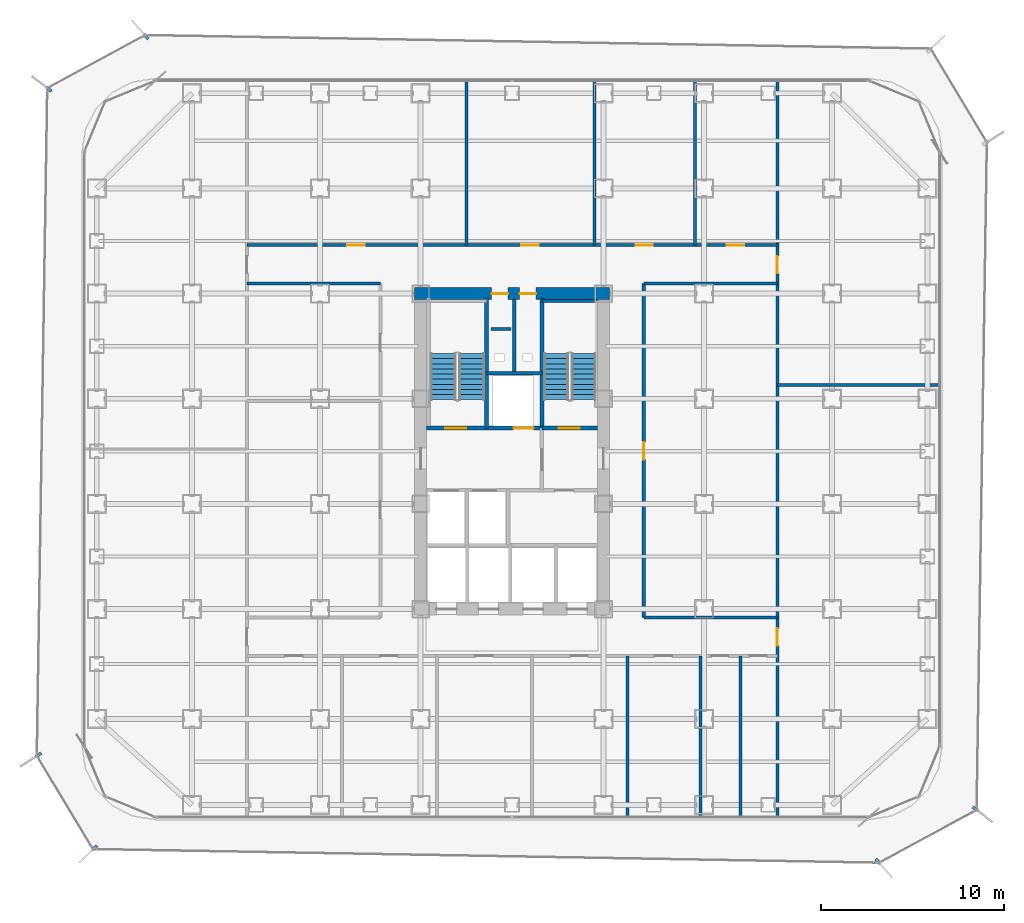
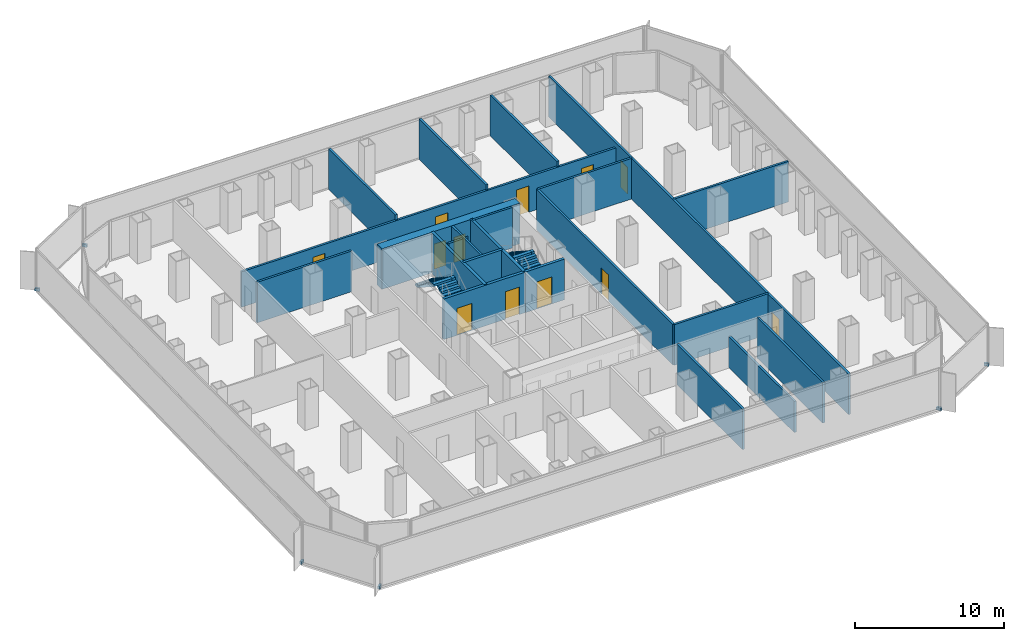
# One storey, part 18 of 22: 22 walls, 12 doors, 6 discrete accessories, 4 stair flights, 12 openings, 2 elements without a shape of their own.
"""IFC4 building model written with IfcOpenShell, lengths in metres."""

from ifc_helpers import new_model, si_unit, direction, frame, frame_2d, origin, origin_2d, place, context, subcontext, project, spatial, polyline, rectangle, outline, extrude, source, transform, mapped, material, layer, layer_set, type_object, element, fill, aggregate, save


model = new_model("IFC4")

# Units and contexts
model_context = context("Model", 3, precision=1e-05, world=origin(), true_north=direction((0.0, 1.0)))
body_context = subcontext(model_context, "Body", "Model", "MODEL_VIEW")
ifc_project = project(units=[si_unit("LENGTHUNIT", "METRE"), si_unit("AREAUNIT", "SQUARE_METRE"), si_unit("VOLUMEUNIT", "CUBIC_METRE"), si_unit("PLANEANGLEUNIT", "RADIAN"), si_unit("MASSUNIT", "GRAM", prefix="KILO")], contexts=[model_context])

# Site, building, storey
site_placement = place(None, origin())
site = spatial("IfcSite", under=ifc_project, at=site_placement, CompositionType="ELEMENT")
building_placement = place(site_placement, origin())
building = spatial("IfcBuilding", under=site, at=building_placement, Name="Kolveth Station Tower", CompositionType="ELEMENT")
storey_placement = place(building_placement, frame((0.0, 0.0, 54.89990234375)))
storey = spatial("IfcBuildingStorey", under=building, at=storey_placement, Name="L14", CompositionType="ELEMENT", Elevation=54.89990234375)

# Wall, openings, doors
ifc_material_1 = material(Name="Concrete C60/75", Category="concrete")
ifc_layer_1 = layer(ifc_material_1, 0.64990234375)
ifc_layer_set_1 = layer_set([ifc_layer_1], Name="Concrete C60/75")
wall_type_1 = type_object("IfcWallType", Name="Wall_CW-650", PredefinedType="SHEAR", material=ifc_layer_set_1)
wall_1_placement = place(storey_placement, frame((18.175048828125, 28.75, 0.0), z_axis=(0.0, 0.0, 1.0), x_axis=(1.0, 0.0, 0.0)))
wall_1 = element("IfcWall", 1, at=wall_1_placement, inside=storey, type_object=wall_type_1, Name="L14 Core RC Shear Wall N", PredefinedType="SHEAR", context=body_context, shape_type="SweptSolid", body=[
    extrude(rectangle(XDim=10.64990234375, YDim=0.64990234375, at=frame_2d((5.324951171875, 0.0))), origin(), (0.0, 0.0, 1.0), 3.320068359375),
])
opening_1_placement = place(wall_1_placement, frame((4.205078125, 0.0, 0.0)))
opening_1 = element("IfcOpeningElement", 2, at=opening_1_placement, cuts=wall_1, Name="Opening RD1", PredefinedType="OPENING", context=body_context, shape_type="SweptSolid", body=[
    extrude(rectangle(XDim=0.89990234375, YDim=2.050048828125, at=frame_2d((0.449951171875, 1.02490234375))), frame((0.0, 0.3349609375, 0.0), z_axis=(0.0, -1.0, 0.0), x_axis=(1.0, 0.0, 0.0)), (0.0, 0.0, 1.0), 0.669921875),
])
opening_2_placement = place(wall_1_placement, frame((5.7451171875, 0.0, 0.0)))
opening_2 = element("IfcOpeningElement", 3, at=opening_2_placement, cuts=wall_1, Name="Opening RD1", PredefinedType="OPENING", context=body_context, shape_type="SweptSolid", body=[
    extrude(rectangle(XDim=0.89990234375, YDim=2.050048828125, at=frame_2d((0.449951171875, 1.02490234375))), frame((0.0, 0.3349609375, 0.0), z_axis=(0.0, -1.0, 0.0), x_axis=(1.0, 0.0, 0.0)), (0.0, 0.0, 1.0), 0.669921875),
])
ifc_material_2 = material(Name="Fire-rated Steel S355 riser access leaf", Category="steel")
door_type_1 = type_object("IfcDoorType", Name="Door_RD1", OperationType="NOTDEFINED", PredefinedType="DOOR", material=ifc_material_2)
door_1_placement = place(opening_1_placement, origin())
door_1 = element("IfcDoor", 4, at=door_1_placement, inside=storey, type_object=door_type_1, Name="L14 Electrical Riser Access Door", OperationType="SINGLE_SWING_LEFT", OverallHeight=2.050048828125, OverallWidth=0.89990234375, PredefinedType="DOOR", context=body_context, shape_type="SweptSolid", body=[
    extrude(rectangle(XDim=0.89990234375, YDim=2.050048828125, at=frame_2d((0.449951171875, 1.02490234375))), frame((0.0, 0.02490234375, 0.0), z_axis=(0.0, -1.0, 0.0), x_axis=(1.0, 0.0, 0.0)), (0.0, 0.0, 1.0), 0.050048828125),
])
fill(opening_1, door_1)
door_2_placement = place(opening_2_placement, origin())
door_2 = element("IfcDoor", 5, at=door_2_placement, inside=storey, type_object=door_type_1, Name="L14 Smoke Duct Access Door", OperationType="SINGLE_SWING_LEFT", OverallHeight=2.050048828125, OverallWidth=0.89990234375, PredefinedType="DOOR", context=body_context, shape_type="SweptSolid", body=[
    extrude(rectangle(XDim=0.89990234375, YDim=2.050048828125, at=frame_2d((0.449951171875, 1.02490234375))), frame((0.0, 0.02490234375, 0.0), z_axis=(0.0, -1.0, 0.0), x_axis=(1.0, 0.0, 0.0)), (0.0, 0.0, 1.0), 0.050048828125),
])
fill(opening_2, door_2)

# Walls
ifc_material_3 = material(Name="Acoustic double-stud gypsum partition")
ifc_layer_2 = layer(ifc_material_3, 0.1650390625)
ifc_layer_set_2 = layer_set([ifc_layer_2], Name="Acoustic double-stud gypsum partition")
wall_type_2 = type_object("IfcWallType", Name="Wall_IW-165", PredefinedType="PARTITIONING", material=ifc_layer_set_2)
wall_2_placement = place(storey_placement, frame((25.1298828125, 28.3349609375, 0.0), z_axis=(0.0, 0.0, 1.0), x_axis=(1.0, 0.0, 0.0)))
element("IfcWall", 6, at=wall_2_placement, inside=storey, type_object=wall_type_2, Name="L14 Stair Shaft Wall WL-L14-ST2-N", PredefinedType="PARTITIONING", context=body_context, shape_type="SweptSolid", body=[
    extrude(rectangle(XDim=3.03515625, YDim=0.1650390625, at=frame_2d((1.517578125, 0.0))), origin(), (0.0, 0.0, 1.0), 3.320068359375),
])
wall_3_placement = place(storey_placement, frame((23.6201171875, 24.39990234375, 0.0), z_axis=(0.0, 0.0, 1.0), x_axis=(0.0, 1.0, 0.0)))
element("IfcWall", 7, at=wall_3_placement, inside=storey, type_object=wall_type_2, Name="L14 Partition Wall WL-L14-RSR-M", PredefinedType="PARTITIONING", context=body_context, shape_type="SweptSolid", body=[
    extrude(rectangle(XDim=4.01513671875, YDim=0.1650390625, at=frame_2d((2.007568359375, 0.0))), origin(), (0.0, 0.0, 1.0), 3.320068359375),
])

# Wall, openings, doors
wall_4_placement = place(storey_placement, frame((9.0, 31.39990234375, 0.0), z_axis=(0.0, 0.0, 1.0), x_axis=(1.0, 0.0, 0.0)))
wall_4 = element("IfcWall", 8, at=wall_4_placement, inside=storey, type_object=wall_type_2, Name="L14 Partition Wall WL-L14-ON", PredefinedType="PARTITIONING", context=body_context, shape_type="SweptSolid", body=[
    extrude(rectangle(XDim=29.0, YDim=0.1650390625, at=frame_2d((14.5, 0.0))), origin(), (0.0, 0.0, 1.0), 2.898193359375),
])
opening_3_placement = place(wall_4_placement, frame((5.5, 0.0, 0.0)))
opening_3 = element("IfcOpeningElement", 9, at=opening_3_placement, cuts=wall_4, Name="Opening ID1", PredefinedType="OPENING", context=body_context, shape_type="SweptSolid", body=[
    extrude(rectangle(XDim=0.949951171875, YDim=2.14990234375, at=frame_2d((0.47509765625, 1.074951171875))), frame((0.0, 0.092529296875, 0.0), z_axis=(0.0, -1.0, 0.0), x_axis=(1.0, 0.0, 0.0)), (0.0, 0.0, 1.0), 0.18505859375),
])
opening_4_placement = place(wall_4_placement, frame((15.0, 0.0, 0.0)))
opening_4 = element("IfcOpeningElement", 10, at=opening_4_placement, cuts=wall_4, Name="Opening ID1", PredefinedType="OPENING", context=body_context, shape_type="SweptSolid", body=[
    extrude(rectangle(XDim=0.949951171875, YDim=2.14990234375, at=frame_2d((0.47509765625, 1.074951171875))), frame((0.0, 0.092529296875, 0.0), z_axis=(0.0, -1.0, 0.0), x_axis=(1.0, 0.0, 0.0)), (0.0, 0.0, 1.0), 0.18505859375),
])
opening_5_placement = place(wall_4_placement, frame((21.25, 0.0, 0.0)))
opening_5 = element("IfcOpeningElement", 11, at=opening_5_placement, cuts=wall_4, Name="Opening ID1", PredefinedType="OPENING", context=body_context, shape_type="SweptSolid", body=[
    extrude(rectangle(XDim=0.949951171875, YDim=2.14990234375, at=frame_2d((0.47509765625, 1.074951171875))), frame((0.0, 0.092529296875, 0.0), z_axis=(0.0, -1.0, 0.0), x_axis=(1.0, 0.0, 0.0)), (0.0, 0.0, 1.0), 0.18505859375),
])
opening_6_placement = place(wall_4_placement, frame((26.25, 0.0, 0.0)))
opening_6 = element("IfcOpeningElement", 12, at=opening_6_placement, cuts=wall_4, Name="Opening ID1", PredefinedType="OPENING", context=body_context, shape_type="SweptSolid", body=[
    extrude(rectangle(XDim=0.949951171875, YDim=2.14990234375, at=frame_2d((0.47509765625, 1.074951171875))), frame((0.0, 0.092529296875, 0.0), z_axis=(0.0, -1.0, 0.0), x_axis=(1.0, 0.0, 0.0)), (0.0, 0.0, 1.0), 0.18505859375),
])
ifc_material_4 = material(Name="Acoustic hardwood leaf and aluminium frame", Category="wood")
door_type_2 = type_object("IfcDoorType", Name="Door_ID1", OperationType="NOTDEFINED", PredefinedType="DOOR", material=ifc_material_4)
door_3_placement = place(opening_3_placement, origin())
door_3 = element("IfcDoor", 13, at=door_3_placement, inside=storey, type_object=door_type_2, Name="L14 Cellular Office 3 Door", OperationType="SINGLE_SWING_RIGHT", OverallHeight=2.14990234375, OverallWidth=0.949951171875, PredefinedType="DOOR", context=body_context, shape_type="SweptSolid", body=[
    extrude(rectangle(XDim=0.949951171875, YDim=2.14990234375, at=frame_2d((0.47509765625, 1.074951171875))), frame((0.0, 0.02490234375, 0.0), z_axis=(0.0, -1.0, 0.0), x_axis=(1.0, 0.0, 0.0)), (0.0, 0.0, 1.0), 0.050048828125),
])
fill(opening_3, door_3)
door_4_placement = place(opening_4_placement, origin())
door_4 = element("IfcDoor", 14, at=door_4_placement, inside=storey, type_object=door_type_2, Name="L14 Cellular Office 4 Door", OperationType="SINGLE_SWING_LEFT", OverallHeight=2.14990234375, OverallWidth=0.949951171875, PredefinedType="DOOR", context=body_context, shape_type="SweptSolid", body=[
    extrude(rectangle(XDim=0.949951171875, YDim=2.14990234375, at=frame_2d((0.47509765625, 1.074951171875))), frame((0.0, 0.02490234375, 0.0), z_axis=(0.0, -1.0, 0.0), x_axis=(1.0, 0.0, 0.0)), (0.0, 0.0, 1.0), 0.050048828125),
])
fill(opening_4, door_4)
door_5_placement = place(opening_5_placement, origin())
door_5 = element("IfcDoor", 15, at=door_5_placement, inside=storey, type_object=door_type_2, Name="L14 Office Pantry Door", OperationType="SINGLE_SWING_LEFT", OverallHeight=2.14990234375, OverallWidth=0.949951171875, PredefinedType="DOOR", context=body_context, shape_type="SweptSolid", body=[
    extrude(rectangle(XDim=0.949951171875, YDim=2.14990234375, at=frame_2d((0.47509765625, 1.074951171875))), frame((0.0, 0.02490234375, 0.0), z_axis=(0.0, -1.0, 0.0), x_axis=(1.0, 0.0, 0.0)), (0.0, 0.0, 1.0), 0.050048828125),
])
fill(opening_5, door_5)
door_6_placement = place(opening_6_placement, origin())
door_6 = element("IfcDoor", 16, at=door_6_placement, inside=storey, type_object=door_type_2, Name="L14 Archive Store Door", OperationType="SINGLE_SWING_LEFT", OverallHeight=2.14990234375, OverallWidth=0.949951171875, PredefinedType="DOOR", context=body_context, shape_type="SweptSolid", body=[
    extrude(rectangle(XDim=0.949951171875, YDim=2.14990234375, at=frame_2d((0.47509765625, 1.074951171875))), frame((0.0, 0.02490234375, 0.0), z_axis=(0.0, -1.0, 0.0), x_axis=(1.0, 0.0, 0.0)), (0.0, 0.0, 1.0), 0.050048828125),
])
fill(opening_6, door_6)

# Walls
for number, where, z_axis, x_axis, name in (
    (17, (30.699951171875, 11.050048828125, 0.0), (0.0, 0.0, 1.0), (1.0, 0.0, 0.0), "L14 Partition Wall WL-L14-OSET"),
    (18, (9.0, 29.300048828125, 0.0), (0.0, 0.0, 1.0), (1.0, 0.0, 0.0), "L14 Partition Wall WL-L14-ONWB"),
    (19, (30.699951171875, 29.300048828125, 0.0), (0.0, 0.0, 1.0), (1.0, 0.0, 0.0), "L14 Partition Wall WL-L14-ONEB"),
):
    element("IfcWall", number, at=place(storey_placement, frame(where, z_axis=z_axis, x_axis=x_axis)), inside=storey, type_object=wall_type_2, Name=name, PredefinedType="PARTITIONING", context=body_context, shape_type="SweptSolid", body=[
        extrude(rectangle(XDim=7.300048828125, YDim=0.1650390625, at=frame_2d((3.64990234375, 0.0))), origin(), (0.0, 0.0, 1.0), 3.320068359375),
    ])

# Wall, opening, door
wall_5_placement = place(storey_placement, frame((30.699951171875, 11.050048828125, 0.0), z_axis=(0.0, 0.0, 1.0), x_axis=(0.0, 1.0, 0.0)))
wall_5 = element("IfcWall", 20, at=wall_5_placement, inside=storey, type_object=wall_type_2, Name="L14 Partition Wall WL-L14-OCE", PredefinedType="PARTITIONING", context=body_context, shape_type="SweptSolid", body=[
    extrude(rectangle(XDim=18.25, YDim=0.1650390625, at=frame_2d((9.125, 0.0))), origin(), (0.0, 0.0, 1.0), 3.320068359375),
])
opening_7_placement = place(wall_5_placement, frame((8.625, 0.0, 0.0)))
opening_7 = element("IfcOpeningElement", 21, at=opening_7_placement, cuts=wall_5, Name="Opening ID1", PredefinedType="OPENING", context=body_context, shape_type="SweptSolid", body=[
    extrude(rectangle(XDim=0.949951171875, YDim=2.14990234375, at=frame_2d((0.47509765625, 1.074951171875))), frame((0.0, 0.092529296875, 0.0), z_axis=(0.0, -1.0, 0.0), x_axis=(1.0, 0.0, 0.0)), (0.0, 0.0, 1.0), 0.18505859375),
])
door_7_placement = place(opening_7_placement, origin())
door_7 = element("IfcDoor", 22, at=door_7_placement, inside=storey, type_object=door_type_2, Name="L14 Internal Meeting Room E1 Door", OperationType="SINGLE_SWING_RIGHT", OverallHeight=2.14990234375, OverallWidth=0.949951171875, PredefinedType="DOOR", context=body_context, shape_type="SweptSolid", body=[
    extrude(rectangle(XDim=0.949951171875, YDim=2.14990234375, at=frame_2d((0.47509765625, 1.074951171875))), frame((0.0, 0.02490234375, 0.0), z_axis=(0.0, -1.0, 0.0), x_axis=(1.0, 0.0, 0.0)), (0.0, 0.0, 1.0), 0.050048828125),
])
fill(opening_7, door_7)

# Wall, openings, doors
wall_6_placement = place(storey_placement, frame((38.0, 0.159912109375, 0.0), z_axis=(0.0, 0.0, 1.0), x_axis=(0.0, 1.0, 0.0)))
wall_6 = element("IfcWall", 23, at=wall_6_placement, inside=storey, type_object=wall_type_2, Name="L14 Partition Wall WL-L14-OEEND", PredefinedType="PARTITIONING", context=body_context, shape_type="SweptSolid", body=[
    extrude(rectangle(XDim=40.18017578125, YDim=0.1650390625, at=frame_2d((20.090087890625, 0.0))), origin(), (0.0, 0.0, 1.0), 3.320068359375),
])
opening_8_placement = place(wall_6_placement, frame((9.340087890625, 0.0, 0.0)))
opening_8 = element("IfcOpeningElement", 24, at=opening_8_placement, cuts=wall_6, Name="Opening ID1", PredefinedType="OPENING", context=body_context, shape_type="SweptSolid", body=[
    extrude(rectangle(XDim=0.949951171875, YDim=2.14990234375, at=frame_2d((0.47509765625, 1.074951171875))), frame((0.0, 0.092529296875, 0.0), z_axis=(0.0, -1.0, 0.0), x_axis=(1.0, 0.0, 0.0)), (0.0, 0.0, 1.0), 0.18505859375),
])
opening_9_placement = place(wall_6_placement, frame((29.68994140625, 0.0, 0.0)))
opening_9 = element("IfcOpeningElement", 25, at=opening_9_placement, cuts=wall_6, Name="Opening ID1", PredefinedType="OPENING", context=body_context, shape_type="SweptSolid", body=[
    extrude(rectangle(XDim=0.949951171875, YDim=2.14990234375, at=frame_2d((0.47509765625, 1.074951171875))), frame((0.0, 0.092529296875, 0.0), z_axis=(0.0, -1.0, 0.0), x_axis=(1.0, 0.0, 0.0)), (0.0, 0.0, 1.0), 0.18505859375),
])
door_8_placement = place(opening_8_placement, origin())
door_8 = element("IfcDoor", 26, at=door_8_placement, inside=storey, type_object=door_type_2, Name="L14 East-South Wing Door", OperationType="SINGLE_SWING_RIGHT", OverallHeight=2.14990234375, OverallWidth=0.949951171875, PredefinedType="DOOR", context=body_context, shape_type="SweptSolid", body=[
    extrude(rectangle(XDim=0.949951171875, YDim=2.14990234375, at=frame_2d((0.47509765625, 1.074951171875))), frame((0.0, 0.02490234375, 0.0), z_axis=(0.0, -1.0, 0.0), x_axis=(1.0, 0.0, 0.0)), (0.0, 0.0, 1.0), 0.050048828125),
])
fill(opening_8, door_8)
door_9_placement = place(opening_9_placement, origin())
door_9 = element("IfcDoor", 27, at=door_9_placement, inside=storey, type_object=door_type_2, Name="L14 East-North Wing Door", OperationType="SINGLE_SWING_LEFT", OverallHeight=2.14990234375, OverallWidth=0.949951171875, PredefinedType="DOOR", context=body_context, shape_type="SweptSolid", body=[
    extrude(rectangle(XDim=0.949951171875, YDim=2.14990234375, at=frame_2d((0.47509765625, 1.074951171875))), frame((0.0, 0.02490234375, 0.0), z_axis=(0.0, -1.0, 0.0), x_axis=(1.0, 0.0, 0.0)), (0.0, 0.0, 1.0), 0.050048828125),
])
fill(opening_9, door_9)

# Walls
wall_7_placement = place(storey_placement, frame((29.800048828125, 0.159912109375, 0.0), z_axis=(0.0, 0.0, 1.0), x_axis=(0.0, 1.0, 0.0)))
element("IfcWall", 28, at=wall_7_placement, inside=storey, type_object=wall_type_2, Name="L14 Partition Wall WL-L14-OS-P4", PredefinedType="PARTITIONING", context=body_context, shape_type="SweptSolid", body=[
    extrude(rectangle(XDim=8.7900390625, YDim=0.1650390625, at=frame_2d((4.39501953125, 0.0))), origin(), (0.0, 0.0, 1.0), 3.320068359375),
])
wall_8_placement = place(storey_placement, frame((33.800048828125, 0.159912109375, 0.0), z_axis=(0.0, 0.0, 1.0), x_axis=(0.0, 1.0, 0.0)))
element("IfcWall", 29, at=wall_8_placement, inside=storey, type_object=wall_type_2, Name="L14 Partition Wall WL-L14-OS-P5", PredefinedType="PARTITIONING", context=body_context, shape_type="SweptSolid", body=[
    extrude(rectangle(XDim=8.7900390625, YDim=0.1650390625, at=frame_2d((4.39501953125, 0.0))), origin(), (0.0, 0.0, 1.0), 2.5390625),
])
wall_9_placement = place(storey_placement, frame((36.0, 0.159912109375, 0.0), z_axis=(0.0, 0.0, 1.0), x_axis=(0.0, 1.0, 0.0)))
element("IfcWall", 30, at=wall_9_placement, inside=storey, type_object=wall_type_2, Name="L14 Partition Wall WL-L14-OS-P6", PredefinedType="PARTITIONING", context=body_context, shape_type="SweptSolid", body=[
    extrude(rectangle(XDim=8.7900390625, YDim=0.1650390625, at=frame_2d((4.39501953125, 0.0))), origin(), (0.0, 0.0, 1.0), 3.320068359375),
])
for number, where, z_axis, x_axis, name in (
    (31, (21.0, 31.39990234375, 0.0), (0.0, 0.0, 1.0), (0.0, 1.0, 0.0), "L14 Partition Wall WL-L14-ON-P1"),
    (32, (28.0, 31.39990234375, 0.0), (0.0, 0.0, 1.0), (0.0, 1.0, 0.0), "L14 Partition Wall WL-L14-ON-P2"),
    (33, (33.5, 31.39990234375, 0.0), (0.0, 0.0, 1.0), (0.0, 1.0, 0.0), "L14 Partition Wall WL-L14-ON-P3"),
):
    element("IfcWall", number, at=place(storey_placement, frame(where, z_axis=z_axis, x_axis=x_axis)), inside=storey, type_object=wall_type_2, Name=name, PredefinedType="PARTITIONING", context=body_context, shape_type="SweptSolid", body=[
        extrude(rectangle(XDim=8.940185546875, YDim=0.1650390625, at=frame_2d((4.47021484375, 0.0))), origin(), (0.0, 0.0, 1.0), 3.320068359375),
    ])
wall_10_placement = place(storey_placement, frame((38.0, 23.75, 0.0), z_axis=(0.0, 0.0, 1.0), x_axis=(1.0, 0.0, 0.0)))
element("IfcWall", 34, at=wall_10_placement, inside=storey, type_object=wall_type_2, Name="L14 Partition Wall WL-L14-OEM", PredefinedType="PARTITIONING", context=body_context, shape_type="SweptSolid", body=[
    extrude(rectangle(XDim=8.840087890625, YDim=0.1650390625, at=frame_2d((4.419921875, 0.0))), origin(), (0.0, 0.0, 1.0), 3.320068359375),
])
wall_11_placement = place(storey_placement, frame((22.35009765625, 26.800048828125, 0.0), z_axis=(0.0, 0.0, 1.0), x_axis=(1.0, 0.0, 0.0)))
element("IfcWall", 35, at=wall_11_placement, inside=storey, type_object=wall_type_2, Name="L14 Acoustic Riser Dry-Lining Wall", PredefinedType="PARTITIONING", context=body_context, shape_type="SweptSolid", body=[
    extrude(rectangle(XDim=1.099853515625, YDim=0.1650390625, at=frame_2d((0.5498046875, 0.0))), origin(), (0.0, 0.0, 1.0), 3.320068359375),
])
ifc_material_5 = material(Name="Acoustic fire-rated gypsum blockwork", Category="masonry")
ifc_layer_3 = layer(ifc_material_5, 0.199951171875)
ifc_layer_set_3 = layer_set([ifc_layer_3], Name="Acoustic fire-rated gypsum blockwork")
wall_type_3 = type_object("IfcWallType", Name="Wall_IW-200", PredefinedType="PARTITIONING", material=ifc_layer_set_3)
wall_12_placement = place(storey_placement, frame((22.110107421875, 24.39990234375, 0.0), z_axis=(0.0, 0.0, 1.0), x_axis=(1.0, 0.0, 0.0)))
element("IfcWall", 36, at=wall_12_placement, inside=storey, type_object=wall_type_3, Name="L14 Partition Wall WL-L14-RSR-S", PredefinedType="PARTITIONING", context=body_context, shape_type="SweptSolid", body=[
    extrude(rectangle(XDim=3.019775390625, YDim=0.199951171875, at=frame_2d((1.509765625, 0.0))), origin(), (0.0, 0.0, 1.0), 3.320068359375),
])
ifc_material_6 = material(Name="Concrete C40/50", Category="concrete")
ifc_layer_4 = layer(ifc_material_6, 0.219970703125)
ifc_layer_set_4 = layer_set([ifc_layer_4], Name="Concrete C40/50")
wall_type_4 = type_object("IfcWallType", Name="Wall_IW-220", PredefinedType="SOLIDWALL", material=ifc_layer_set_4)
for number, where, z_axis, x_axis, name in (
    (37, (22.110107421875, 21.389892578125, 0.0), (0.0, 0.0, 1.0), (0.0, 1.0, 0.0), "L14 Stair Shaft Wall WL-L14-ST1-E"),
    (38, (25.1298828125, 21.389892578125, 0.0), (0.0, 0.0, 1.0), (0.0, 1.0, 0.0), "L14 Stair Shaft Wall WL-L14-ST2-W"),
):
    element("IfcWall", number, at=place(storey_placement, frame(where, z_axis=z_axis, x_axis=x_axis)), inside=storey, type_object=wall_type_4, Name=name, PredefinedType="SOLIDWALL", context=body_context, shape_type="SweptSolid", body=[
        extrude(rectangle(XDim=7.110107421875, YDim=0.219970703125, at=frame_2d((3.55517578125, 0.0))), origin(), (0.0, 0.0, 1.0), 3.320068359375),
    ])

# Wall, openings, doors
wall_13_placement = place(storey_placement, frame((18.8349609375, 21.389892578125, 0.0), z_axis=(0.0, 0.0, 1.0), x_axis=(1.0, 0.0, 0.0)))
wall_13 = element("IfcWall", 39, at=wall_13_placement, inside=storey, type_object=wall_type_4, Name="L14 Stair Shaft Wall WL-L14-ST1-S", PredefinedType="SOLIDWALL", context=body_context, shape_type="SweptSolid", body=[
    extrude(rectangle(XDim=6.294921875, YDim=0.219970703125, at=frame_2d((3.1474609375, 0.0))), origin(), (0.0, 0.0, 1.0), 3.320068359375),
])
opening_10_placement = place(wall_13_placement, frame((1.014892578125, 0.0, 0.0)))
opening_10 = element("IfcOpeningElement", 40, at=opening_10_placement, cuts=wall_13, Name="Opening FD1", PredefinedType="OPENING", context=body_context, shape_type="SweptSolid", body=[
    extrude(rectangle(XDim=1.14990234375, YDim=2.199951171875, at=frame_2d((0.574951171875, 1.10009765625))), frame((0.0, 0.119873046875, 0.0), z_axis=(0.0, -1.0, 0.0), x_axis=(1.0, 0.0, 0.0)), (0.0, 0.0, 1.0), 0.239990234375),
])
opening_11_placement = place(wall_13_placement, frame((4.7451171875, 0.0, 0.0)))
opening_11 = element("IfcOpeningElement", 41, at=opening_11_placement, cuts=wall_13, Name="Opening LD1", PredefinedType="OPENING", context=body_context, shape_type="SweptSolid", body=[
    extrude(rectangle(XDim=1.10009765625, YDim=2.25, at=frame_2d((0.550048828125, 1.125))), frame((0.0, 0.119873046875, 0.0), z_axis=(0.0, -1.0, 0.0), x_axis=(1.0, 0.0, 0.0)), (0.0, 0.0, 1.0), 0.239990234375),
])
ifc_material_7 = material(Name="Fire-rated Steel S355 leaf and frame", Category="steel")
door_type_3 = type_object("IfcDoorType", Name="Door_FD1", OperationType="NOTDEFINED", PredefinedType="DOOR", material=ifc_material_7)
door_10_placement = place(opening_10_placement, frame((1.14990234375, 0.0, 0.0), z_axis=(0.0, 0.0, 1.0), x_axis=(-1.0, 0.0, 0.0)))
door_10 = element("IfcDoor", 42, at=door_10_placement, inside=storey, type_object=door_type_3, Name="L14 Stair ST1 Fire Door", OperationType="SINGLE_SWING_LEFT", OverallHeight=2.199951171875, OverallWidth=1.14990234375, PredefinedType="DOOR", context=body_context, shape_type="SweptSolid", body=[
    extrude(rectangle(XDim=1.14990234375, YDim=2.199951171875, at=frame_2d((0.574951171875, 1.10009765625))), frame((0.0, 0.02490234375, 0.0), z_axis=(0.0, -1.0, 0.0), x_axis=(1.0, 0.0, 0.0)), (0.0, 0.0, 1.0), 0.050048828125),
])
fill(opening_10, door_10)
ifc_material_8 = material(Name="Brushed stainless steel sliding landing doors", Category="steel")
door_type_4 = type_object("IfcDoorType", Name="Door_LD1", OperationType="NOTDEFINED", PredefinedType="DOOR", material=ifc_material_8)
door_11_placement = place(opening_11_placement, frame((1.10009765625, 0.0, 0.0), z_axis=(0.0, 0.0, 1.0), x_axis=(-1.0, 0.0, 0.0)))
door_11 = element("IfcDoor", 43, at=door_11_placement, inside=storey, type_object=door_type_4, Name="L14 Service Lift SV1 Landing Door", OperationType="DOUBLE_DOOR_SLIDING", OverallHeight=2.25, OverallWidth=1.10009765625, PredefinedType="DOOR", context=body_context, shape_type="SweptSolid", body=[
    extrude(rectangle(XDim=1.10009765625, YDim=2.25, at=frame_2d((0.550048828125, 1.125))), frame((0.0, 0.02490234375, 0.0), z_axis=(0.0, -1.0, 0.0), x_axis=(1.0, 0.0, 0.0)), (0.0, 0.0, 1.0), 0.050048828125),
])
fill(opening_11, door_11)

# Wall, opening, door
wall_14_placement = place(storey_placement, frame((25.1298828125, 21.389892578125, 0.0), z_axis=(0.0, 0.0, 1.0), x_axis=(1.0, 0.0, 0.0)))
wall_14 = element("IfcWall", 44, at=wall_14_placement, inside=storey, type_object=wall_type_4, Name="L14 Stair Shaft Wall WL-L14-ST2-S", PredefinedType="SOLIDWALL", context=body_context, shape_type="SweptSolid", body=[
    extrude(rectangle(XDim=3.03515625, YDim=0.219970703125, at=frame_2d((1.517578125, 0.0))), origin(), (0.0, 0.0, 1.0), 3.320068359375),
])
opening_12_placement = place(wall_14_placement, frame((0.919921875, 0.0, 0.0)))
opening_12 = element("IfcOpeningElement", 45, at=opening_12_placement, cuts=wall_14, Name="Opening FD1", PredefinedType="OPENING", context=body_context, shape_type="SweptSolid", body=[
    extrude(rectangle(XDim=1.14990234375, YDim=2.199951171875, at=frame_2d((0.574951171875, 1.10009765625))), frame((0.0, 0.119873046875, 0.0), z_axis=(0.0, -1.0, 0.0), x_axis=(1.0, 0.0, 0.0)), (0.0, 0.0, 1.0), 0.239990234375),
])
door_12_placement = place(opening_12_placement, frame((1.14990234375, 0.0, 0.0), z_axis=(0.0, 0.0, 1.0), x_axis=(-1.0, 0.0, 0.0)))
door_12 = element("IfcDoor", 46, at=door_12_placement, inside=storey, type_object=door_type_3, Name="L14 Stair ST2 Fire Door", OperationType="SINGLE_SWING_RIGHT", OverallHeight=2.199951171875, OverallWidth=1.14990234375, PredefinedType="DOOR", context=body_context, shape_type="SweptSolid", body=[
    extrude(rectangle(XDim=1.14990234375, YDim=2.199951171875, at=frame_2d((0.574951171875, 1.10009765625))), frame((0.0, 0.02490234375, 0.0), z_axis=(0.0, -1.0, 0.0), x_axis=(1.0, 0.0, 0.0)), (0.0, 0.0, 1.0), 0.050048828125),
])
fill(opening_12, door_12)

# Stair, stair flights
stair_type_1 = type_object("IfcStairType", Name="Stair_ST1", PredefinedType="HALF_TURN_STAIR", material=ifc_material_6)
stair_1_placement = place(storey_placement, origin())
stair_1 = element("IfcStair", 47, at=stair_1_placement, inside=storey, type_object=stair_type_1, Name="L14 Tower Exit Stair ST1", PredefinedType="HALF_TURN_STAIR")
ifc_layer_5 = layer(ifc_material_6, 0.179931640625)
ifc_layer_set_5 = layer_set([ifc_layer_5], Name="Concrete C40/50")
stair_flight_type_1 = type_object("IfcStairFlightType", Name="Flight_ST1", PredefinedType="STRAIGHT", material=ifc_layer_set_5)
stair_flight_1_placement = place(storey_placement, frame((21.300048828125, 22.949951171875, 0.0), z_axis=(0.0, 0.0, 1.0), x_axis=(0.0, 1.0, 0.0)))
stair_flight_1 = element("IfcStairFlight", 48, at=stair_flight_1_placement, type_object=stair_flight_type_1, Name="ST1 flight 1", NumberOfRisers=10, NumberOfTreads=9, PredefinedType="STRAIGHT", RiserHeight=0.18, TreadLength=0.28, context=body_context, shape_type="SweptSolid", body=[
    extrude(outline(polyline([(0.0, 0.0), (0.0, 0.179931640625), (0.280029296875, 0.179931640625), (0.280029296875, 0.360107421875), (0.56005859375, 0.360107421875), (0.56005859375, 0.5400390625), (0.840087890625, 0.5400390625), (0.840087890625, 0.719970703125), (1.1201171875, 0.719970703125), (1.1201171875, 0.89990234375), (1.39990234375, 0.89990234375), (1.39990234375, 1.080078125), (1.679931640625, 1.080078125), (1.679931640625, 1.260009765625), (1.9599609375, 1.260009765625), (1.9599609375, 1.43994140625), (2.239990234375, 1.43994140625), (2.239990234375, 1.6201171875), (2.52001953125, 1.6201171875), (2.52001953125, 1.800048828125), (2.52001953125, 1.44189453125), (0.277099609375, 0.0), (0.0, 0.0)])), frame((0.0, 0.699951171875, 0.0), z_axis=(0.0, -1.0, 0.0), x_axis=(1.0, 0.0, 0.0)), (0.0, 0.0, 1.0), 1.39990234375),
])
stair_flight_2_placement = place(storey_placement, frame((19.739990234375, 25.469970703125, 1.800048828125), z_axis=(0.0, 0.0, 1.0), x_axis=(0.0, -1.0, 0.0)))
stair_flight_2 = element("IfcStairFlight", 49, at=stair_flight_2_placement, type_object=stair_flight_type_1, Name="ST1 flight 2", NumberOfRisers=10, NumberOfTreads=9, PredefinedType="STRAIGHT", RiserHeight=0.18, TreadLength=0.28, context=body_context, shape_type="SweptSolid", body=[
    extrude(outline(polyline([(0.0, 0.0), (0.0, 0.179931640625), (0.280029296875, 0.179931640625), (0.280029296875, 0.360107421875), (0.56005859375, 0.360107421875), (0.56005859375, 0.5400390625), (0.840087890625, 0.5400390625), (0.840087890625, 0.719970703125), (1.1201171875, 0.719970703125), (1.1201171875, 0.89990234375), (1.39990234375, 0.89990234375), (1.39990234375, 1.080078125), (1.679931640625, 1.080078125), (1.679931640625, 1.260009765625), (1.9599609375, 1.260009765625), (1.9599609375, 1.43994140625), (2.239990234375, 1.43994140625), (2.239990234375, 1.6201171875), (2.52001953125, 1.6201171875), (2.52001953125, 1.800048828125), (2.52001953125, 1.44189453125), (0.277099609375, 0.0), (0.0, 0.0)])), frame((0.0, 0.699951171875, 0.0), z_axis=(0.0, -1.0, 0.0), x_axis=(1.0, 0.0, 0.0)), (0.0, 0.0, 1.0), 1.39990234375),
])
aggregate(stair_1, [stair_flight_1, stair_flight_2])

stair_type_2 = type_object("IfcStairType", Name="Stair_ST2", PredefinedType="HALF_TURN_STAIR", material=ifc_material_6)
stair_2_placement = place(storey_placement, origin())
stair_2 = element("IfcStair", 50, at=stair_2_placement, inside=storey, type_object=stair_type_2, Name="L14 Tower Exit Stair ST2", PredefinedType="HALF_TURN_STAIR")
ifc_layer_6 = layer(ifc_material_6, 0.179931640625)
ifc_layer_set_6 = layer_set([ifc_layer_6], Name="Concrete C40/50")
stair_flight_type_2 = type_object("IfcStairFlightType", Name="Flight_ST2", PredefinedType="STRAIGHT", material=ifc_layer_set_6)
stair_flight_3_placement = place(storey_placement, frame((27.425048828125, 22.949951171875, 0.0), z_axis=(0.0, 0.0, 1.0), x_axis=(0.0, 1.0, 0.0)))
stair_flight_3 = element("IfcStairFlight", 51, at=stair_flight_3_placement, type_object=stair_flight_type_2, Name="ST2 flight 1", NumberOfRisers=10, NumberOfTreads=9, PredefinedType="STRAIGHT", RiserHeight=0.18, TreadLength=0.28, context=body_context, shape_type="SweptSolid", body=[
    extrude(outline(polyline([(0.0, 0.0), (0.0, 0.179931640625), (0.280029296875, 0.179931640625), (0.280029296875, 0.360107421875), (0.56005859375, 0.360107421875), (0.56005859375, 0.5400390625), (0.840087890625, 0.5400390625), (0.840087890625, 0.719970703125), (1.1201171875, 0.719970703125), (1.1201171875, 0.89990234375), (1.39990234375, 0.89990234375), (1.39990234375, 1.080078125), (1.679931640625, 1.080078125), (1.679931640625, 1.260009765625), (1.9599609375, 1.260009765625), (1.9599609375, 1.43994140625), (2.239990234375, 1.43994140625), (2.239990234375, 1.6201171875), (2.52001953125, 1.6201171875), (2.52001953125, 1.800048828125), (2.52001953125, 1.44189453125), (0.277099609375, 0.0), (0.0, 0.0)])), frame((0.0, 0.675048828125, 0.0), z_axis=(0.0, -1.0, 0.0), x_axis=(1.0, 0.0, 0.0)), (0.0, 0.0, 1.0), 1.35009765625),
])
stair_flight_4_placement = place(storey_placement, frame((25.9150390625, 25.469970703125, 1.800048828125), z_axis=(0.0, 0.0, 1.0), x_axis=(0.0, -1.0, 0.0)))
stair_flight_4 = element("IfcStairFlight", 52, at=stair_flight_4_placement, type_object=stair_flight_type_2, Name="ST2 flight 2", NumberOfRisers=10, NumberOfTreads=9, PredefinedType="STRAIGHT", RiserHeight=0.18, TreadLength=0.28, context=body_context, shape_type="SweptSolid", body=[
    extrude(outline(polyline([(0.0, 0.0), (0.0, 0.179931640625), (0.280029296875, 0.179931640625), (0.280029296875, 0.360107421875), (0.56005859375, 0.360107421875), (0.56005859375, 0.5400390625), (0.840087890625, 0.5400390625), (0.840087890625, 0.719970703125), (1.1201171875, 0.719970703125), (1.1201171875, 0.89990234375), (1.39990234375, 0.89990234375), (1.39990234375, 1.080078125), (1.679931640625, 1.080078125), (1.679931640625, 1.260009765625), (1.9599609375, 1.260009765625), (1.9599609375, 1.43994140625), (2.239990234375, 1.43994140625), (2.239990234375, 1.6201171875), (2.52001953125, 1.6201171875), (2.52001953125, 1.800048828125), (2.52001953125, 1.44189453125), (0.277099609375, 0.0), (0.0, 0.0)])), frame((0.0, 0.675048828125, 0.0), z_axis=(0.0, -1.0, 0.0), x_axis=(1.0, 0.0, 0.0)), (0.0, 0.0, 1.0), 1.35009765625),
])
aggregate(stair_2, [stair_flight_3, stair_flight_4])

# Discrete accessories
ifc_material_9 = material(Name="Steel S355", Category="steel")
discrete_accessory_type = type_object("IfcDiscreteAccessoryType", Name="Bracket_BK1", PredefinedType="BRACKET", material=ifc_material_9)
shared_shape = source(origin(), body_context, "Body", "SweptSolid", [
    extrude(rectangle(XDim=0.35009765625, YDim=0.159912109375, at=origin_2d()), origin(), (0.0, 0.0, 1.0), 0.219970703125),
])
for number, where, z_axis, x_axis, name in (
    (53, (43.5, -2.297119140625, -0.06005859375), (0.0, 0.0, 1.0), (0.663534575496, -0.748145618928, 0.0), "L14 Double-Skin Radial Tie Bracket 1"),
    (54, (48.825927734375, 0.5810546875, -0.06005859375), (0.0, 0.0, 1.0), (0.789833986695, -0.613320693815, 0.0), "L14 Double-Skin Radial Tie Bracket 2"),
    (55, (3.5, 42.794921875, -0.06005859375), (0.0, 0.0, 1.0), (-0.663665141432, 0.748029798903, 0.0), "L14 Double-Skin Radial Tie Bracket 5"),
    (56, (-1.820068359375, 39.9150390625, -0.06005859375), (0.0, 0.0, 1.0), (-0.789726930011, 0.613458536509, 0.0), "L14 Double-Skin Radial Tie Bracket 6"),
    (57, (-2.385986328125, 3.534912109375, -0.06005859375), (0.0, 0.0, 1.0), (-0.840093553899, -0.542441536663, 0.0), "L14 Double-Skin Radial Tie Bracket 7"),
    (58, (0.677978515625, -1.556884765625, -0.06005859375), (0.0, 0.0, 1.0), (-0.72296714591, -0.690882411077, 0.0), "L14 Double-Skin Radial Tie Bracket 8"),
):
    element("IfcDiscreteAccessory", number, at=place(storey_placement, frame(where, z_axis=z_axis, x_axis=x_axis)), inside=storey, type_object=discrete_accessory_type, Name=name, PredefinedType="BRACKET", context=body_context, shape_type="MappedRepresentation", body=[
        mapped(shared_shape, transform((0.0, 0.0, 0.0), x_axis=(1.0, 0.0, 0.0), y_axis=(0.0, 1.0, 0.0), z_axis=(0.0, 0.0, 1.0), scale=1.0)),
    ])

save(model, "model.ifc")
